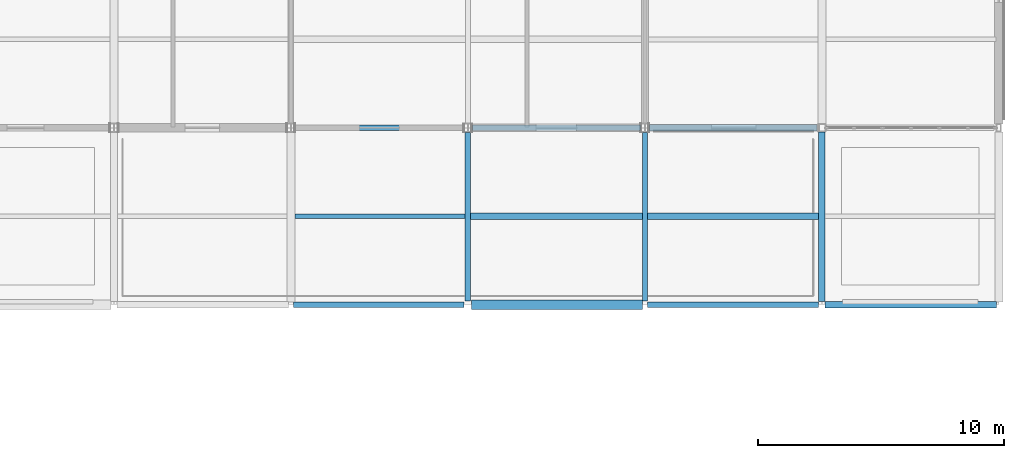
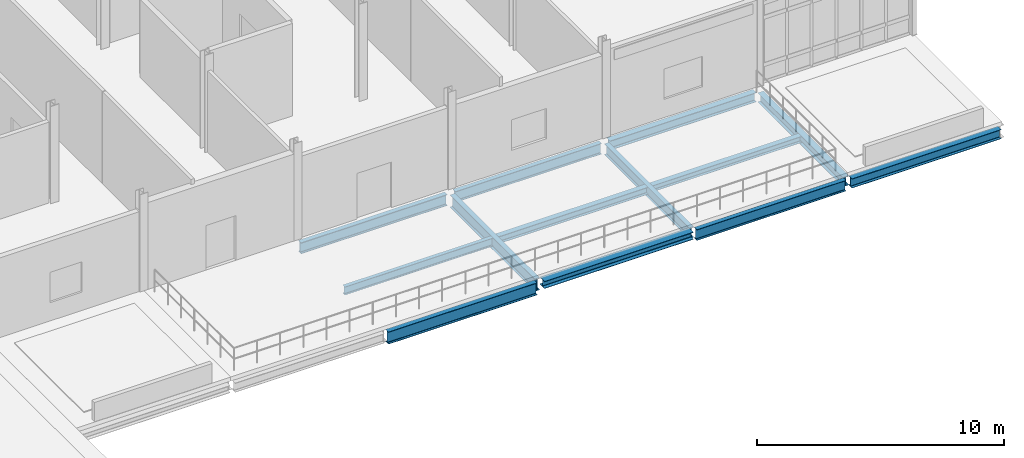
# One storey, part 78 of 153: 13 beams.
"""IFC4 building model written with IfcOpenShell, lengths in metres."""

from ifc_helpers import new_model, si_unit, direction, frame, origin, origin_2d, place, context, subcontext, project, spatial, i_section, extrude, material, material_profile, profile_set, type_object, element, save


model = new_model("IFC4")

# Units and contexts
model_context = context("Model", 3, precision=1e-05, world=origin(), true_north=direction((0.0, 1.0)))
body_context = subcontext(model_context, "Body", "Model", "MODEL_VIEW")
ifc_project = project(units=[si_unit("LENGTHUNIT", "METRE"), si_unit("AREAUNIT", "SQUARE_METRE"), si_unit("VOLUMEUNIT", "CUBIC_METRE"), si_unit("PLANEANGLEUNIT", "RADIAN"), si_unit("MASSUNIT", "GRAM", prefix="KILO")], contexts=[model_context])

# Site, building, storey
site_placement = place(None, origin())
site = spatial("IfcSite", under=ifc_project, at=site_placement, CompositionType="ELEMENT")
building_placement = place(site_placement, origin())
building = spatial("IfcBuilding", under=site, at=building_placement, Name="Calvrana Isthmian Art Gallery", CompositionType="ELEMENT")
storey_placement = place(building_placement, frame((0.0, 0.0, 10.199951171875)))
storey = spatial("IfcBuildingStorey", under=building, at=storey_placement, Name="L02", CompositionType="ELEMENT", Elevation=10.199951171875)

# Beams
ifc_material = material(Name="Steel ASTM A992 Gr 50", Category="steel")
ifc_material_profile_1 = material_profile(ifc_material, i_section(OverallWidth=0.279052734375, OverallDepth=0.4619140625, WebThickness=0.0107421875, FlangeThickness=0.017333984375, FilletRadius=0.02001953125, at=origin_2d()), Name="W18X76")
ifc_profile_set_1 = profile_set([ifc_material_profile_1], Name="Steel ASTM A992 Gr 50")
beam_type_1 = type_object("IfcBeamType", Name="BM-G-W18X76", PredefinedType="BEAM", material=ifc_profile_set_1)
beam_1_placement = place(storey_placement, frame((148.927001953125, 7.199951171875, -0.495849609375), z_axis=(1.0, 0.0, 0.0), x_axis=(0.0, 1.0, 0.0)))
element("IfcBeam", 1, at=beam_1_placement, inside=storey, type_object=beam_type_1, Name="Girder X L02 20-21/B", PredefinedType="BEAM", context=body_context, shape_type="SweptSolid", body=[
    extrude(i_section(OverallWidth=0.279052734375, OverallDepth=0.4619140625, WebThickness=0.0107421875, FlangeThickness=0.017333984375, FilletRadius=0.02001953125, at=origin_2d()), origin(), (0.0, 0.0, 1.0), 6.971435546875),
])
beam_2_placement = place(storey_placement, frame((141.78662109375, 14.39990234375, -0.495849609375), z_axis=(1.0, 0.0, 0.0), x_axis=(0.0, 1.0, 0.0)))
element("IfcBeam", 2, at=beam_2_placement, inside=storey, type_object=beam_type_1, Name="Girder X L02 19-20/C", PredefinedType="BEAM", context=body_context, shape_type="SweptSolid", body=[
    extrude(i_section(OverallWidth=0.279052734375, OverallDepth=0.4619140625, WebThickness=0.0107421875, FlangeThickness=0.017333984375, FilletRadius=0.02001953125, at=origin_2d()), origin(), (0.0, 0.0, 1.0), 6.827880859375),
])
beam_3_placement = place(storey_placement, frame((148.800048828125, 7.326904296875, -0.495849609375), z_axis=(0.0, 1.0, 0.0), x_axis=(-1.0, 0.0, 0.0)))
element("IfcBeam", 3, at=beam_3_placement, inside=storey, type_object=beam_type_1, Name="Girder Y L02 20/B-C", PredefinedType="BEAM", context=body_context, shape_type="SweptSolid", body=[
    extrude(i_section(OverallWidth=0.279052734375, OverallDepth=0.4619140625, WebThickness=0.0107421875, FlangeThickness=0.017333984375, FilletRadius=0.02001953125, at=origin_2d()), origin(), (0.0, 0.0, 1.0), 6.8916015625),
])
ifc_material_profile_2 = material_profile(ifc_material, i_section(OverallWidth=0.208984375, OverallDepth=0.532958984375, WebThickness=0.01025390625, FlangeThickness=0.015625, FilletRadius=0.02099609375, at=origin_2d()), Name="W21X62")
ifc_profile_set_2 = profile_set([ifc_material_profile_2], Name="Steel ASTM A992 Gr 50")
beam_type_2 = type_object("IfcBeamType", Name="BM-G-W21X62", PredefinedType="BEAM", material=ifc_profile_set_2)
beam_4_placement = place(storey_placement, frame((141.70166015625, 7.199951171875, -0.531494140625), z_axis=(1.0, 0.0, 0.0), x_axis=(0.0, 1.0, 0.0)))
element("IfcBeam", 4, at=beam_4_placement, inside=storey, type_object=beam_type_2, Name="Girder X L02 19-20/B", PredefinedType="BEAM", context=body_context, shape_type="SweptSolid", body=[
    extrude(i_section(OverallWidth=0.208984375, OverallDepth=0.532958984375, WebThickness=0.01025390625, FlangeThickness=0.015625, FilletRadius=0.02099609375, at=origin_2d()), origin(), (0.0, 0.0, 1.0), 6.971435546875),
])
beam_5_placement = place(storey_placement, frame((134.58642578125, 14.39990234375, -0.531494140625), z_axis=(1.0, 0.0, 0.0), x_axis=(0.0, 1.0, 0.0)))
element("IfcBeam", 5, at=beam_5_placement, inside=storey, type_object=beam_type_2, Name="Girder X L02 18-19/C", PredefinedType="BEAM", context=body_context, shape_type="SweptSolid", body=[
    extrude(i_section(OverallWidth=0.208984375, OverallDepth=0.532958984375, WebThickness=0.01025390625, FlangeThickness=0.015625, FilletRadius=0.02099609375, at=origin_2d()), origin(), (0.0, 0.0, 1.0), 6.8271484375),
])
beam_6_placement = place(storey_placement, frame((141.60009765625, 7.352294921875, -0.531494140625), z_axis=(0.0, 1.0, 0.0), x_axis=(-1.0, 0.0, 0.0)))
element("IfcBeam", 6, at=beam_6_placement, inside=storey, type_object=beam_type_2, Name="Girder Y L02 19/B-C", PredefinedType="BEAM", context=body_context, shape_type="SweptSolid", body=[
    extrude(i_section(OverallWidth=0.208984375, OverallDepth=0.532958984375, WebThickness=0.01025390625, FlangeThickness=0.015625, FilletRadius=0.02099609375, at=origin_2d()), origin(), (0.0, 0.0, 1.0), 6.86376953125),
])
ifc_material_profile_3 = material_profile(ifc_material, i_section(OverallWidth=0.214111328125, OverallDepth=0.549072265625, WebThickness=0.0146484375, FlangeThickness=0.023681640625, FilletRadius=0.02099609375, at=origin_2d()), Name="W21X93")
ifc_profile_set_3 = profile_set([ifc_material_profile_3], Name="Steel ASTM A992 Gr 50")
beam_type_3 = type_object("IfcBeamType", Name="BM-G-W21X93", PredefinedType="BEAM", material=ifc_profile_set_3)
beam_7_placement = place(storey_placement, frame((127.384033203125, 14.39990234375, -0.53955078125), z_axis=(1.0, 0.0, 0.0), x_axis=(0.0, 1.0, 0.0)))
element("IfcBeam", 7, at=beam_7_placement, inside=storey, type_object=beam_type_3, Name="Girder X L02 17-18/C", PredefinedType="BEAM", context=body_context, shape_type="SweptSolid", body=[
    extrude(i_section(OverallWidth=0.214111328125, OverallDepth=0.549072265625, WebThickness=0.0146484375, FlangeThickness=0.023681640625, FilletRadius=0.02099609375, at=origin_2d()), origin(), (0.0, 0.0, 1.0), 6.829345703125),
])
ifc_material_profile_4 = material_profile(ifc_material, i_section(OverallWidth=0.22802734375, OverallDepth=0.60693359375, WebThickness=0.01123046875, FlangeThickness=0.017333984375, FilletRadius=0.02197265625, at=origin_2d()), Name="W24X76")
ifc_profile_set_4 = profile_set([ifc_material_profile_4], Name="Steel ASTM A992 Gr 50")
beam_type_4 = type_object("IfcBeamType", Name="BM-G-W24X76", PredefinedType="BEAM", material=ifc_profile_set_4)
beam_8_placement = place(storey_placement, frame((127.301513671875, 7.199951171875, -0.568359375), z_axis=(1.0, 0.0, 0.0), x_axis=(0.0, 1.0, 0.0)))
element("IfcBeam", 8, at=beam_8_placement, inside=storey, type_object=beam_type_4, Name="Girder X L02 17-18/B", PredefinedType="BEAM", context=body_context, shape_type="SweptSolid", body=[
    extrude(i_section(OverallWidth=0.22802734375, OverallDepth=0.60693359375, WebThickness=0.01123046875, FlangeThickness=0.017333984375, FilletRadius=0.02197265625, at=origin_2d()), origin(), (0.0, 0.0, 1.0), 6.946044921875),
])
beam_9_placement = place(storey_placement, frame((134.39990234375, 7.352294921875, -0.568359375), z_axis=(0.0, 1.0, 0.0), x_axis=(-1.0, 0.0, 0.0)))
element("IfcBeam", 9, at=beam_9_placement, inside=storey, type_object=beam_type_4, Name="Girder Y L02 18/B-C", PredefinedType="BEAM", context=body_context, shape_type="SweptSolid", body=[
    extrude(i_section(OverallWidth=0.22802734375, OverallDepth=0.60693359375, WebThickness=0.01123046875, FlangeThickness=0.017333984375, FilletRadius=0.02197265625, at=origin_2d()), origin(), (0.0, 0.0, 1.0), 6.861083984375),
])
ifc_material_profile_5 = material_profile(ifc_material, i_section(OverallWidth=0.25390625, OverallDepth=0.306884765625, WebThickness=0.0087890625, FlangeThickness=0.0146484375, FilletRadius=0.01611328125, at=origin_2d()), Name="W12X53")
ifc_profile_set_5 = profile_set([ifc_material_profile_5], Name="Steel ASTM A992 Gr 50")
beam_type_5 = type_object("IfcBeamType", Name="BM-J-W12X53", PredefinedType="JOIST", material=ifc_profile_set_5)
beam_10_placement = place(storey_placement, frame((141.70458984375, 10.800048828125, -0.41845703125), z_axis=(1.0, 0.0, 0.0), x_axis=(0.0, 1.0, 0.0)))
element("IfcBeam", 10, at=beam_10_placement, inside=storey, type_object=beam_type_5, Name="Composite joist L02 bay 18-01", PredefinedType="JOIST", context=body_context, shape_type="SweptSolid", body=[
    extrude(i_section(OverallWidth=0.25390625, OverallDepth=0.306884765625, WebThickness=0.0087890625, FlangeThickness=0.0146484375, FilletRadius=0.01611328125, at=origin_2d()), origin(), (0.0, 0.0, 1.0), 6.955810546875),
])
ifc_material_profile_6 = material_profile(ifc_material, i_section(OverallWidth=0.25390625, OverallDepth=0.35302734375, WebThickness=0.009521484375, FlangeThickness=0.016357421875, FilletRadius=0.01806640625, at=origin_2d()), Name="W14X61")
ifc_profile_set_6 = profile_set([ifc_material_profile_6], Name="Steel ASTM A992 Gr 50")
beam_type_6 = type_object("IfcBeamType", Name="BM-J-W14X61", PredefinedType="JOIST", material=ifc_profile_set_6)
beam_11_placement = place(storey_placement, frame((134.513916015625, 10.800048828125, -0.44140625), z_axis=(1.0, 0.0, 0.0), x_axis=(0.0, 1.0, 0.0)))
element("IfcBeam", 11, at=beam_11_placement, inside=storey, type_object=beam_type_6, Name="Composite joist L02 bay 17-01", PredefinedType="JOIST", context=body_context, shape_type="SweptSolid", body=[
    extrude(i_section(OverallWidth=0.25390625, OverallDepth=0.35302734375, WebThickness=0.009521484375, FlangeThickness=0.016357421875, FilletRadius=0.01806640625, at=origin_2d()), origin(), (0.0, 0.0, 1.0), 6.981689453125),
])
ifc_material_profile_7 = material_profile(ifc_material, i_section(OverallWidth=0.177978515625, OverallDepth=0.404052734375, WebThickness=0.007568359375, FlangeThickness=0.010986328125, FilletRadius=0.01806640625, at=origin_2d()), Name="W16X36")
ifc_profile_set_7 = profile_set([ifc_material_profile_7], Name="Steel ASTM A992 Gr 50")
beam_type_7 = type_object("IfcBeamType", Name="BM-J-W16X36", PredefinedType="JOIST", material=ifc_profile_set_7)
beam_12_placement = place(storey_placement, frame((127.362548828125, 10.800048828125, -0.467041015625), z_axis=(1.0, 0.0, 0.0), x_axis=(0.0, 1.0, 0.0)))
element("IfcBeam", 12, at=beam_12_placement, inside=storey, type_object=beam_type_7, Name="Composite joist L02 bay 16-01", PredefinedType="JOIST", context=body_context, shape_type="SweptSolid", body=[
    extrude(i_section(OverallWidth=0.177978515625, OverallDepth=0.404052734375, WebThickness=0.007568359375, FlangeThickness=0.010986328125, FilletRadius=0.01806640625, at=origin_2d()), origin(), (0.0, 0.0, 1.0), 6.92333984375),
])
ifc_material_profile_8 = material_profile(ifc_material, i_section(OverallWidth=0.367919921875, OverallDepth=0.35595703125, WebThickness=0.01123046875, FlangeThickness=0.01806640625, FilletRadius=0.02490234375, at=origin_2d()), Name="W14X90")
ifc_profile_set_8 = profile_set([ifc_material_profile_8], Name="Steel ASTM A992 Gr 50")
beam_type_8 = type_object("IfcBeamType", Name="BM-SP-W14X90", PredefinedType="SPANDREL", material=ifc_profile_set_8)
beam_13_placement = place(storey_placement, frame((134.552490234375, 7.199951171875, -0.44287109375), z_axis=(1.0, 0.0, 0.0), x_axis=(0.0, 1.0, 0.0)))
element("IfcBeam", 13, at=beam_13_placement, inside=storey, type_object=beam_type_8, Name="Girder X L02 18-19/B", PredefinedType="SPANDREL", context=body_context, shape_type="SweptSolid", body=[
    extrude(i_section(OverallWidth=0.367919921875, OverallDepth=0.35595703125, WebThickness=0.01123046875, FlangeThickness=0.01806640625, FilletRadius=0.02490234375, at=origin_2d()), origin(), (0.0, 0.0, 1.0), 6.94580078125),
])

save(model, "model.ifc")
